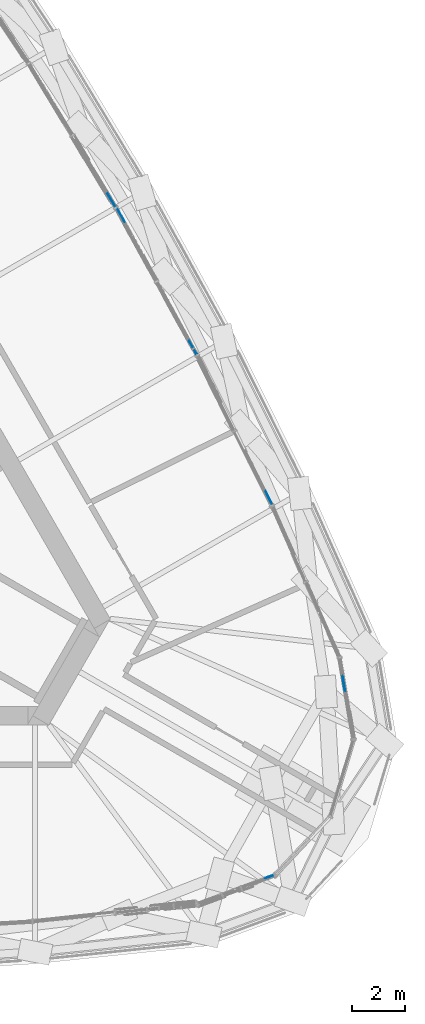
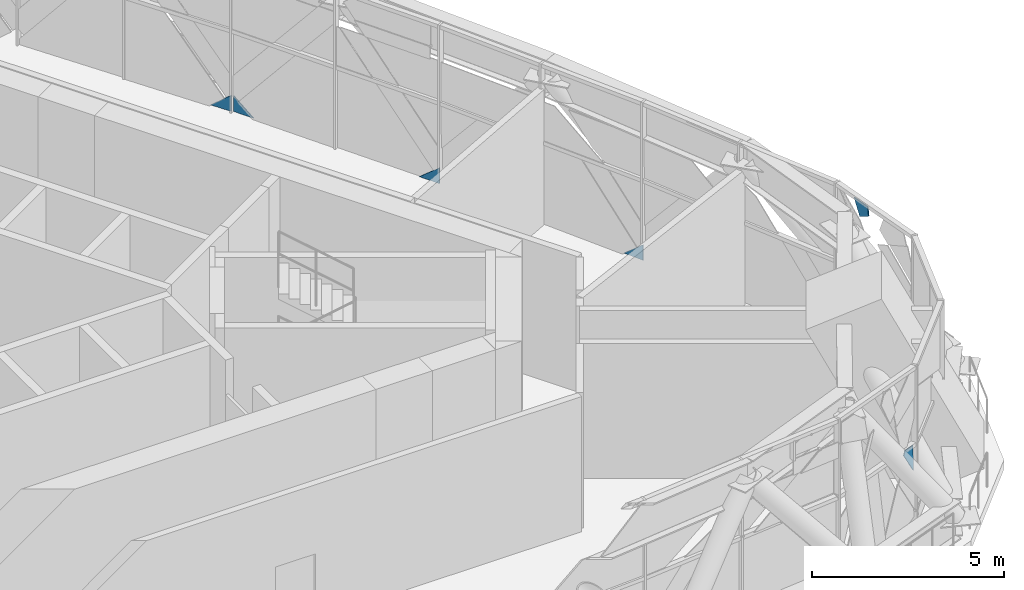
# One storey, part 18 of 33: 6 plates, 2 elements without a shape of their own.
"""IFC4 building model written with IfcOpenShell, lengths in metres."""

from ifc_helpers import new_model, si_unit, direction, frame, origin, place, context, subcontext, project, spatial, polyline, outline, extrude, material, layer, layer_set, type_object, element, aggregate, save


model = new_model("IFC4")

# Units and contexts
model_context = context("Model", 3, precision=1e-05, world=origin(), true_north=direction((0.0, 1.0)))
body_context = subcontext(model_context, "Body", "Model", "MODEL_VIEW")
ifc_project = project(units=[si_unit("LENGTHUNIT", "METRE"), si_unit("AREAUNIT", "SQUARE_METRE"), si_unit("VOLUMEUNIT", "CUBIC_METRE"), si_unit("PLANEANGLEUNIT", "RADIAN"), si_unit("MASSUNIT", "GRAM", prefix="KILO")], contexts=[model_context])

# Site, building, storey
site_placement = place(None, origin())
site = spatial("IfcSite", under=ifc_project, at=site_placement, CompositionType="ELEMENT")
building_placement = place(site_placement, origin())
building = spatial("IfcBuilding", under=site, at=building_placement, Name="Mestral Congress Tower", CompositionType="ELEMENT")
storey_placement = place(building_placement, frame((0.0, 0.0, 256.199951171875)))
storey = spatial("IfcBuildingStorey", under=building, at=storey_placement, Name="L60", CompositionType="ELEMENT", Elevation=256.199951171875)

# Curtain wall, plates
ifc_material = material(Name="Clear low-emissivity double glazing", Category="glass")
curtain_wall_type = type_object("IfcCurtainWallType", Name="Facade refuge band screen", PredefinedType="USERDEFINED", material=ifc_material)
placement = place(storey_placement, origin())
curtain_wall_1 = element("IfcCurtainWall", 1, at=placement, inside=storey, type_object=curtain_wall_type, Name="Facade refuge band screen face 2", ObjectType="CURTAIN WALL", PredefinedType="USERDEFINED")
ifc_layer = layer(ifc_material, 0.028076171875)
ifc_layer_set = layer_set([ifc_layer], Name="Clear low-emissivity double glazing")
plate_type = type_object("IfcPlateType", Name="Facade refuge band screen panel", PredefinedType="CURTAIN_PANEL", material=ifc_layer_set)
plate_1_placement = place(storey_placement, frame((21.75048828125, -2.064208984375, 0.0), z_axis=(0.895464273776, 0.445127878374, 0.002215013795), x_axis=(-0.001981173941, -0.000990586971, 0.999997546841)))
plate_1 = element("IfcPlate", 2, at=plate_1_placement, type_object=plate_type, Name="Refuge screen glass unit", PredefinedType="CURTAIN_PANEL", context=body_context, shape_type="SweptSolid", body=[
    extrude(outline(polyline([(0.0, 0.0), (0.49292113108909386, -3.9387032047324966e-20), (-3.143952787611551e-06, -0.609352013562006), (0.0, 0.0)])), origin(), (0.0, 0.0, -1.0), 0.028076171875),
])
plate_2_placement = place(storey_placement, frame((18.89453125, 3.610107421875, 0.0), z_axis=(0.876307014857, 0.481749880953, 0.001751545981), x_axis=(-0.001462698861, -0.000975132574, 0.999998454813)))
plate_2 = element("IfcPlate", 3, at=plate_2_placement, type_object=plate_type, Name="Refuge screen glass unit", PredefinedType="CURTAIN_PANEL", context=body_context, shape_type="SweptSolid", body=[
    extrude(outline(polyline([(0.0, 0.0), (0.5007331956013952, 6.776263578034403e-20), (-9.189481778082735e-05, -0.613201396545653), (0.0, 0.0)])), origin(), (0.0, 0.0, -1.0), 0.028076171875),
])
plate_3_placement = place(storey_placement, frame((15.888916015625, 9.1376953125, 0.0), z_axis=(0.876290232545, 0.481778659288, 0.00217986256), x_axis=(0.48177980395, -0.876292314531, 0.0)))
plate_3 = element("IfcPlate", 4, at=plate_3_placement, type_object=plate_type, Name="Refuge screen glass unit", PredefinedType="CURTAIN_PANEL", context=body_context, shape_type="SweptSolid", body=[
    extrude(outline(polyline([(0.0, 0.0), (0.6070832906481698, 0.0), (-4.261098309080522e-05, -0.500489470364541), (0.0, 0.0)])), origin(), (0.0, 0.0, -1.0), 0.028076171875),
])
plate_4_placement = place(storey_placement, frame((15.83203125, 9.17578125, 0.0), z_axis=(0.855390913221, 0.517980017033, 0.001757137938), x_axis=(-0.001463412371, -0.000975608247, 0.999998453305)))
plate_4 = element("IfcPlate", 5, at=plate_4_placement, type_object=plate_type, Name="Refuge screen glass unit", PredefinedType="CURTAIN_PANEL", context=body_context, shape_type="SweptSolid", body=[
    extrude(outline(polyline([(0.0, 0.0), (0.500489055353822, 3.3881317890172014e-20), (-4.6446193405705305e-05, -0.6070748451616654), (0.0, 0.0)])), origin(), (0.0, 0.0, -1.0), 0.028076171875),
])
aggregate(curtain_wall_1, [plate_1, plate_2, plate_3, plate_4])

curtain_wall_2 = element("IfcCurtainWall", 6, at=placement, inside=storey, type_object=curtain_wall_type, Name="Facade refuge band screen corner 1", ObjectType="CURTAIN WALL", PredefinedType="USERDEFINED")
plate_5_placement = place(storey_placement, frame((21.451904296875, -16.14208984375, 2.406005859375), z_axis=(0.347900667279, -0.937529086851, 0.002082549968), x_axis=(0.327847139202, 0.123738815348, 0.936592205228)))
plate_5 = element("IfcPlate", 7, at=plate_5_placement, type_object=plate_type, Name="Refuge screen glass unit", PredefinedType="CURTAIN_PANEL", context=body_context, shape_type="SweptSolid", body=[
    extrude(outline(polyline([(0.0, 0.0), (0.14310759397392833, 6.938893903907228e-18), (0.25879788101520323, -0.30921867186926155), (-0.49008547121503765, -0.5893492881775977), (0.0, 0.0)])), origin(), (0.0, 0.0, -1.0), 0.028076171875),
])
plate_6_placement = place(storey_placement, frame((24.38671875, -8.49609375, 4.97998046875), z_axis=(0.98586447549, 0.167533014026, 0.001981206435), x_axis=(0.075549320189, -0.433960711214, -0.897758542895)))
plate_6 = element("IfcPlate", 8, at=plate_6_placement, type_object=plate_type, Name="Refuge screen glass unit", PredefinedType="CURTAIN_PANEL", context=body_context, shape_type="SweptSolid", body=[
    extrude(outline(polyline([(0.0, 0.0), (0.5422571769080148, 0.0), (0.516858367541866, -0.4066030263322351), (0.2444371815191938, -0.49819342592963867), (0.0, 0.0)])), origin(), (0.0, 0.0, -1.0), 0.028076171875),
])
aggregate(curtain_wall_2, [plate_5, plate_6])

save(model, "model.ifc")
